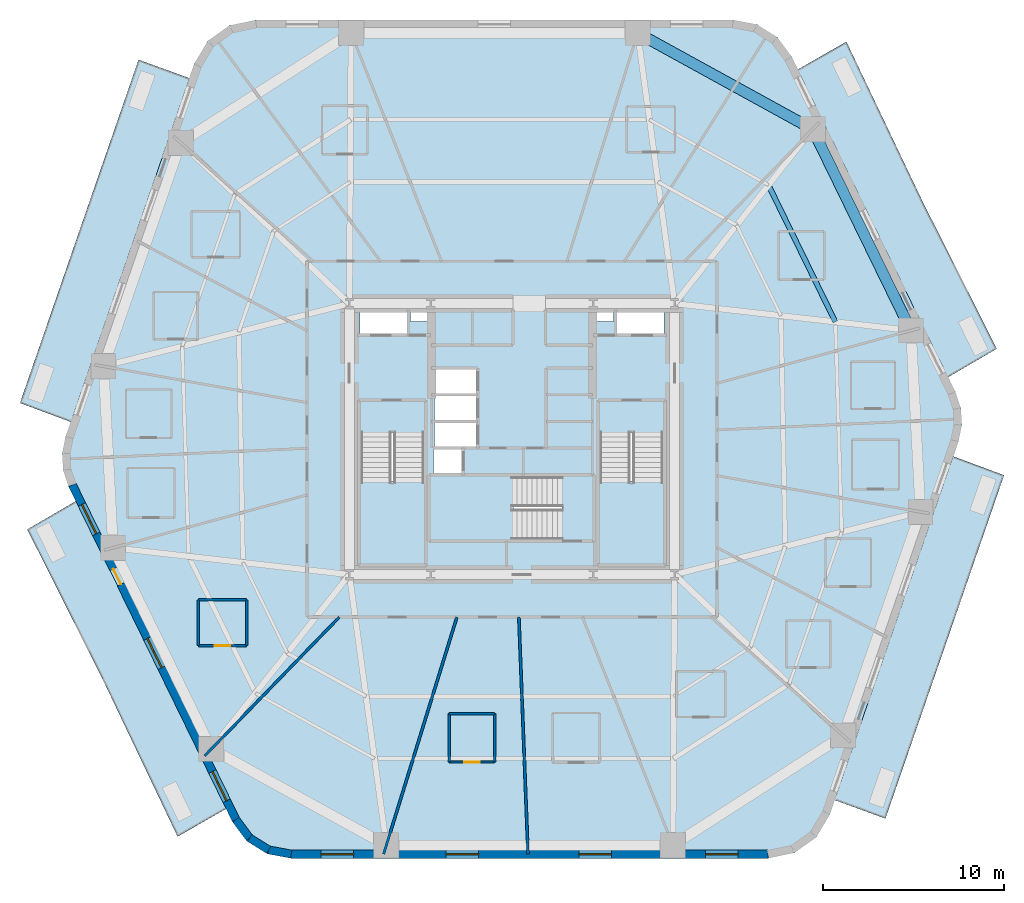
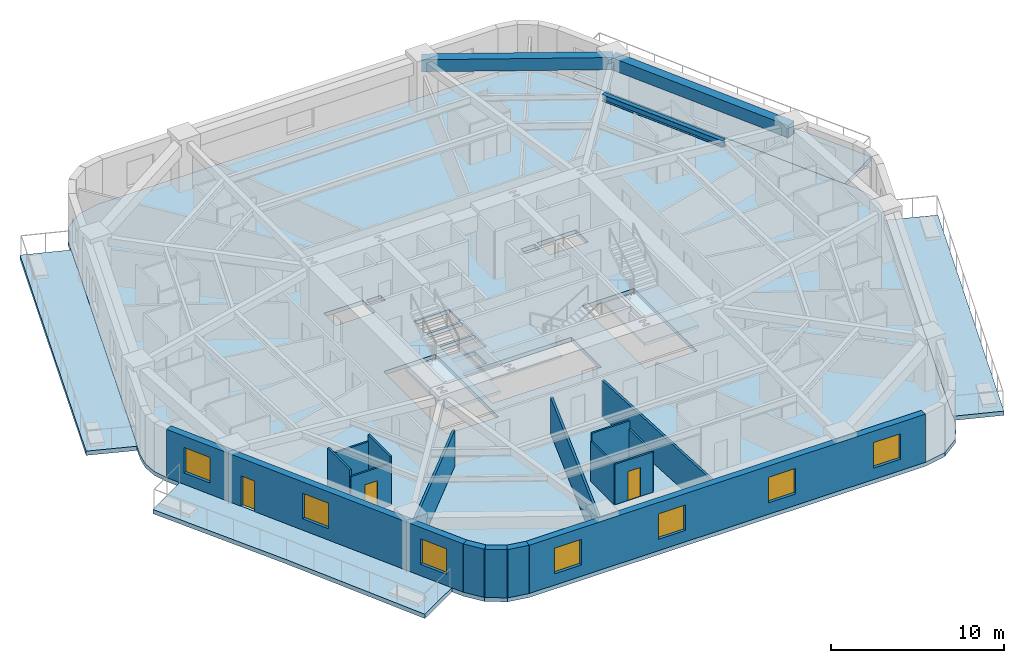
# One storey, part 2 of 10: 16 walls, 8 slabs, 7 windows, 3 beams, 3 doors, 10 openings, 3 elements without a shape of their own.
"""IFC4 building model written with IfcOpenShell, lengths in metres."""

import ifcopenshell
import ifcopenshell.guid

model = None  # the IFC model being written
_history = None  # IfcOwnerHistory: only IFC2X3 demands one
_inside = {}  # id of a spatial element -> (the spatial element, [elements in it])
_under = {}  # id of a project, library or spatial element -> (it, [spatial elements below it])
_declared = {}  # id of a project -> (the project, [libraries it declares])
_typed = {}  # id of a type object -> (the type object, [elements of that type])
_made_of = {}  # id of a material, layer set ... -> (it, [elements and type objects made of it])


def new_model(schema):
    """Start an empty IFC model of exactly this schema.

    Asked for "IFC4X3", IfcOpenShell would pick the latest addendum, in which some entities
    have other attributes; the version numbers below select the first issue.
    IFC2X3 requires an IfcOwnerHistory on every rooted entity: one is made here for all.
    """
    global model, _history
    if schema == "IFC4X3":
        model = ifcopenshell.file(schema_version=(4, 3, 0, 0))
    else:
        model = ifcopenshell.file(schema=schema)
    _inside.clear()
    _under.clear()
    _declared.clear()
    _typed.clear()
    _made_of.clear()
    _history = None
    if model.schema == "IFC2X3":
        org = make("IfcOrganization", Name="unknown")
        user = make(
            "IfcPersonAndOrganization",
            ThePerson=make("IfcPerson", FamilyName="unknown"),
            TheOrganization=org,
        )
        app = make(
            "IfcApplication",
            ApplicationDeveloper=org,
            Version="unknown",
            ApplicationFullName="unknown",
            ApplicationIdentifier="unknown",
        )
        _history = make(
            "IfcOwnerHistory",
            OwningUser=user,
            OwningApplication=app,
            ChangeAction="ADDED",
            CreationDate=0,
        )
    return model


def make(cls, **values):
    """One entity of the class cls with the attributes given. An attribute that is None is left unset."""
    return model.create_entity(
        cls, **{name: value for name, value in values.items() if value is not None}
    )


def rooted(cls, **values):
    """An entity with a GlobalId (a new one), such as an element, a storey or a relation."""
    return make(cls, GlobalId=ifcopenshell.guid.new(), OwnerHistory=_history, **values)


def si_unit(unit_type, name, prefix=None):
    """IfcSIUnit, for example si_unit("LENGTHUNIT", "METRE", prefix="MILLI")."""
    return make("IfcSIUnit", UnitType=unit_type, Prefix=prefix, Name=name)


def assignment(units):
    """IfcUnitAssignment: the units of a project."""
    return None if units is None else make("IfcUnitAssignment", Units=units)


def point(xyz):
    """IfcCartesianPoint."""
    return None if xyz is None else make("IfcCartesianPoint", Coordinates=xyz)


def direction(xyz):
    """IfcDirection."""
    return None if xyz is None else make("IfcDirection", DirectionRatios=xyz)


def frame(location, z_axis=None, x_axis=None):
    """IfcAxis2Placement3D, a coordinate frame: its origin and axes. An axis left out is left unset."""
    return make(
        "IfcAxis2Placement3D",
        Location=point(location),
        Axis=direction(z_axis),
        RefDirection=direction(x_axis),
    )


def frame_2d(location, x_axis=None):
    """IfcAxis2Placement2D, a coordinate frame in the plane: its origin and x axis."""
    return make(
        "IfcAxis2Placement2D", Location=point(location), RefDirection=direction(x_axis)
    )


def origin():
    """The frame at (0, 0, 0) with its axes left unset."""
    return frame((0.0, 0.0, 0.0))


def origin_2d():
    """The frame at (0, 0) in the plane with its x axis left unset."""
    return frame_2d((0.0, 0.0))


def place(relative_to, where):
    """IfcLocalPlacement: puts the frame where relative to a parent placement (None: the world)."""
    return make(
        "IfcLocalPlacement", PlacementRelTo=relative_to, RelativePlacement=where
    )


def context(
    kind, dimensions, precision=None, world=None, true_north=None, identifier=None
):
    """IfcGeometricRepresentationContext, for example the 3D "Model" context."""
    return make(
        "IfcGeometricRepresentationContext",
        ContextIdentifier=identifier,
        ContextType=kind,
        CoordinateSpaceDimension=dimensions,
        Precision=precision,
        WorldCoordinateSystem=world,
        TrueNorth=true_north,
    )


def subcontext(parent, identifier, kind, view, scale=None):
    """IfcGeometricRepresentationSubContext, for example "Body" below "Model"."""
    return make(
        "IfcGeometricRepresentationSubContext",
        ContextIdentifier=identifier,
        ContextType=kind,
        ParentContext=parent,
        TargetScale=scale,
        TargetView=view,
    )


def project(units=None, contexts=None):
    """IfcProject with its units and contexts."""
    return rooted(
        "IfcProject",
        Name="project",
        RepresentationContexts=contexts,
        UnitsInContext=assignment(units),
    )


def spatial(cls, under=None, at=None, **own):
    """A site, building, storey or space (cls), placed at a placement, below another one or the project."""
    s = rooted(cls, ObjectPlacement=at, **own)
    if under is not None:
        _under.setdefault(under.id(), (under, []))[1].append(s)
    return s


def polyline(points):
    """IfcPolyline through the points."""
    return make("IfcPolyline", Points=[point(p) for p in points])


def profile(cls, at=None, kind="AREA", **sizes):
    """A parametric profile (cls). Its sizes go by their IFC names, for example OverallWidth=200.0."""
    return make(cls, ProfileType=kind, Position=at, **sizes)


def rectangle(**sizes):
    """IfcRectangleProfileDef."""
    return profile("IfcRectangleProfileDef", **sizes)


def i_section(**sizes):
    """IfcIShapeProfileDef."""
    return profile("IfcIShapeProfileDef", **sizes)


def outline(outer, holes=None, kind="AREA"):
    """IfcArbitraryClosedProfileDef: a profile drawn as a closed curve; with holes, ...WithVoids."""
    if holes is None:
        return make("IfcArbitraryClosedProfileDef", ProfileType=kind, OuterCurve=outer)
    return make(
        "IfcArbitraryProfileDefWithVoids",
        ProfileType=kind,
        OuterCurve=outer,
        InnerCurves=holes,
    )


def extrude(swept, where, along, depth):
    """IfcExtrudedAreaSolid: the profile swept, set in the frame where, extruded along a direction by depth."""
    return make(
        "IfcExtrudedAreaSolid",
        SweptArea=swept,
        Position=where,
        ExtrudedDirection=direction(along),
        Depth=depth,
    )


def shape(context_of_items, identifier, shape_type, items):
    """IfcShapeRepresentation: the items that make up one representation, for example the "Body"."""
    return make(
        "IfcShapeRepresentation",
        ContextOfItems=context_of_items,
        RepresentationIdentifier=identifier,
        RepresentationType=shape_type,
        Items=items,
    )


def material(Name=None, Category=None):
    """IfcMaterial."""
    return make("IfcMaterial", Name=Name, Category=Category)


def layer(
    of_material, thickness, ventilated=None, Name=None, Category=None, Priority=None
):
    """IfcMaterialLayer: one layer of a wall or slab, of a material (None: an air gap)."""
    return make(
        "IfcMaterialLayer",
        Material=of_material,
        LayerThickness=thickness,
        IsVentilated=ventilated,
        Name=Name,
        Category=Category,
        Priority=Priority,
    )


def layer_set(layers, Name=None):
    """IfcMaterialLayerSet."""
    return make("IfcMaterialLayerSet", MaterialLayers=layers, LayerSetName=Name)


def material_profile(
    of_material, cross_section, Name=None, Category=None, Priority=None
):
    """IfcMaterialProfile: a cross section and its material."""
    return make(
        "IfcMaterialProfile",
        Name=Name,
        Material=of_material,
        Profile=cross_section,
        Priority=Priority,
        Category=Category,
    )


def profile_set(profiles, Name=None, composite=None):
    """IfcMaterialProfileSet."""
    return make(
        "IfcMaterialProfileSet",
        Name=Name,
        MaterialProfiles=profiles,
        CompositeProfile=composite,
    )


def made_of(thing, what):
    """Note that an element or type object is made of a material, layer set ...; save() writes the relation."""
    if what is not None:
        _made_of.setdefault(what.id(), (what, []))[1].append(thing)
    return thing


def type_object(cls, material=None, **own):
    """A type object (cls), such as IfcWallType, which elements share."""
    return made_of(rooted(cls, **own), material)


def element(
    cls,
    number,
    at=None,
    inside=None,
    cuts=None,
    type_object=None,
    material=None,
    context=None,
    identifier="Body",
    shape_type=None,
    held_by="IfcProductDefinitionShape",
    body=None,
    shapes=None,
    **own,
):
    """One element of the class cls, such as IfcWall. Its Tag is "e" and its number.

    at: its placement. inside: the storey or other place that contains it. cuts: it is an
    opening in that element (IfcRelVoidsElement). A single representation is given by context,
    identifier, shape_type and body (its items); several are given by shapes. held_by: the class
    of the entity that holds the representations. save() writes the other relations.
    """
    e = rooted(cls, Tag="e%d" % number, ObjectPlacement=at, **own)
    if body is not None:
        shapes = [shape(context, identifier, shape_type, body)]
    if shapes is not None:
        e.Representation = make(held_by, Representations=shapes)
    if inside is not None:
        _inside.setdefault(inside.id(), (inside, []))[1].append(e)
    if cuts is not None:
        rooted(
            "IfcRelVoidsElement", RelatingBuildingElement=cuts, RelatedOpeningElement=e
        )
    if type_object is not None:
        _typed.setdefault(type_object.id(), (type_object, []))[1].append(e)
    return made_of(e, material)


def fill(opening, filler):
    """IfcRelFillsElement: the door or window that sits in an opening."""
    return rooted(
        "IfcRelFillsElement",
        RelatingOpeningElement=opening,
        RelatedBuildingElement=filler,
    )


def aggregate(whole, parts):
    """IfcRelAggregates: a whole, such as a stair, and the parts it consists of."""
    return rooted("IfcRelAggregates", RelatingObject=whole, RelatedObjects=parts)


def save(model, path):
    """Write the relations noted so far, then the file.

    IfcRelAggregates (storeys below a building ...), IfcRelContainedInSpatialStructure (elements
    in a storey), IfcRelDefinesByType, IfcRelAssociatesMaterial and IfcRelDeclares: one each for
    every whole, place, type object, material and project.
    """
    for whole, parts in _under.values():
        aggregate(whole, parts)
    for where, things in _inside.values():
        rooted(
            "IfcRelContainedInSpatialStructure",
            RelatedElements=things,
            RelatingStructure=where,
        )
    for kind, things in _typed.values():
        rooted("IfcRelDefinesByType", RelatedObjects=things, RelatingType=kind)
    for what, things in _made_of.values():
        rooted("IfcRelAssociatesMaterial", RelatedObjects=things, RelatingMaterial=what)
    for by, libraries in _declared.values():
        rooted("IfcRelDeclares", RelatingContext=by, RelatedDefinitions=libraries)
    model.write(path)


model = new_model("IFC4")

# Units and contexts
model_context = context("Model", 3, precision=1e-05, world=origin(), true_north=direction((0.0, 1.0)))
body_context = subcontext(model_context, "Body", "Model", "MODEL_VIEW")
ifc_project = project(units=[si_unit("LENGTHUNIT", "METRE"), si_unit("AREAUNIT", "SQUARE_METRE"), si_unit("VOLUMEUNIT", "CUBIC_METRE"), si_unit("PLANEANGLEUNIT", "RADIAN"), si_unit("MASSUNIT", "GRAM", prefix="KILO")], contexts=[model_context])

# Site, building, storey
site_placement = place(None, origin())
site = spatial("IfcSite", under=ifc_project, at=site_placement, CompositionType="ELEMENT")
building_placement = place(site_placement, origin())
building = spatial("IfcBuilding", under=site, at=building_placement, Name="Kilnhurst Terrace Hotel", CompositionType="ELEMENT")
storey_placement = place(building_placement, frame((0.0, 0.0, 45.300048828125)))
storey = spatial("IfcBuildingStorey", under=building, at=storey_placement, Name="L09", CompositionType="ELEMENT", Elevation=45.300048828125)

# Beams
ifc_material_1 = material(Name="Concrete C50/60", Category="concrete")
ifc_material_profile_1 = material_profile(ifc_material_1, rectangle(XDim=0.60009765625, YDim=0.85009765625, at=origin_2d()), Name="RC600X850")
ifc_profile_set_1 = profile_set([ifc_material_profile_1], Name="Concrete C50/60")
beam_type_1 = type_object("IfcBeamType", Name="BM-SPN-600X850", PredefinedType="SPANDREL", material=ifc_profile_set_1)
beam_1_placement = place(storey_placement, frame((22.083984375, 6.013916015625, 2.974853515625), z_axis=(-0.438922573627, 0.898524888003, 0.0), x_axis=(-0.898524888003, -0.438922573627, 0.0)))
element("IfcBeam", 1, at=beam_1_placement, inside=storey, type_object=beam_type_1, Name="L09 Perimeter Spandrel Beam 5", PredefinedType="SPANDREL", context=body_context, shape_type="SweptSolid", body=[
    extrude(rectangle(XDim=0.60009765625, YDim=0.85009765625, at=origin_2d()), origin(), (0.0, 0.0, 1.0), 12.39599609375),
])
beam_2_placement = place(storey_placement, frame((16.64306640625, 17.152099609375, 2.974853515625), z_axis=(-0.876235488803, 0.481883147829, 0.0), x_axis=(-0.481883147829, -0.876235488803, 0.0)))
element("IfcBeam", 2, at=beam_2_placement, inside=storey, type_object=beam_type_1, Name="L09 Perimeter Spandrel Beam 6", PredefinedType="SPANDREL", context=body_context, shape_type="SweptSolid", body=[
    extrude(rectangle(XDim=0.60009765625, YDim=0.85009765625, at=origin_2d()), origin(), (0.0, 0.0, 1.0), 11.056396484375),
])
ifc_material_2 = material(Name="Steel ASTM A992 Grade 50", Category="steel")
ifc_material_profile_2 = material_profile(ifc_material_2, i_section(OverallWidth=0.279296875, OverallDepth=0.462890625, WebThickness=0.0107421875, FlangeThickness=0.017333984375, at=origin_2d()), Name="W18X76")
ifc_profile_set_2 = profile_set([ifc_material_profile_2], Name="Steel ASTM A992 Grade 50")
beam_type_2 = type_object("IfcBeamType", Name="JST-STL-W18X76", PredefinedType="JOIST", material=ifc_profile_set_2)
beam_3_placement = place(storey_placement, frame((17.897216796875, 6.489501953125, 3.16796875), z_axis=(-0.438934275949, 0.898519171413, 0.0), x_axis=(-0.898519171413, -0.438934275949, 0.0)))
element("IfcBeam", 3, at=beam_3_placement, inside=storey, type_object=beam_type_2, Name="L09 Secondary Floor Steel Joist OUT.5", PredefinedType="JOIST", context=body_context, shape_type="SweptSolid", body=[
    extrude(i_section(OverallWidth=0.279296875, OverallDepth=0.462890625, WebThickness=0.0107421875, FlangeThickness=0.017333984375, at=origin_2d()), origin(), (0.0, 0.0, 1.0), 8.429443359375),
])

# Slabs
ifc_layer_1 = layer(ifc_material_1, 0.300048828125, Name="Concrete C50/60")
ifc_layer_set_1 = layer_set([ifc_layer_1], Name="Concrete C50/60")
slab_type_1 = type_object("IfcSlabType", Name="SLB-BAL-300", PredefinedType="FLOOR", material=ifc_layer_set_1)
slab_1_placement = place(storey_placement, frame((0.0, 0.0, -0.300048828125)))
element("IfcSlab", 4, at=slab_1_placement, inside=storey, type_object=slab_type_1, Name="L09 Cantilevered Planted Terrace Slab BAL-L1A", PredefinedType="FLOOR", context=body_context, shape_type="SweptSolid", body=[
    extrude(outline(polyline([(23.98046875, -11.4296875), (20.670166015625, -21.0), (17.84912109375, -19.975341796875), (24.410888671875, -0.9501953125), (27.23388671875, -2.0), (23.98046875, -11.4296875)])), origin(), (0.0, 0.0, 1.0), 0.300048828125),
])
slab_2_placement = place(storey_placement, frame((0.0, 0.0, -0.300048828125)))
element("IfcSlab", 5, at=slab_2_placement, inside=storey, type_object=slab_type_1, Name="L09 Cantilevered Planted Terrace Slab BAL-L1B", PredefinedType="FLOOR", context=body_context, shape_type="SweptSolid", body=[
    extrude(outline(polyline([(26.830810546875, 5.0), (24.128662109375, 3.42333984375), (15.809814453125, 20.452880859375), (18.509521484375, 22.0), (22.697021484375, 13.21142578125), (26.830810546875, 5.0)])), origin(), (0.0, 0.0, 1.0), 0.300048828125),
])
slab_3_placement = place(storey_placement, frame((0.0, 0.0, -0.300048828125)))
element("IfcSlab", 6, at=slab_3_placement, inside=storey, type_object=slab_type_1, Name="L09 Cantilevered Planted Terrace Slab BAL-L2A", PredefinedType="FLOOR", context=body_context, shape_type="SweptSolid", body=[
    extrude(outline(polyline([(-20.670166015625, 21.0), (-17.84912109375, 19.975341796875), (-24.410888671875, 0.9501953125), (-27.23388671875, 2.0), (-23.98046875, 11.4296875), (-20.670166015625, 21.0)])), origin(), (0.0, 0.0, 1.0), 0.300048828125),
])
slab_4_placement = place(storey_placement, frame((0.0, 0.0, -0.300048828125)))
element("IfcSlab", 7, at=slab_4_placement, inside=storey, type_object=slab_type_1, Name="L09 Cantilevered Planted Terrace Slab BAL-L2B", PredefinedType="FLOOR", context=body_context, shape_type="SweptSolid", body=[
    extrude(outline(polyline([(-26.830810546875, -5.0), (-24.128662109375, -3.42333984375), (-15.809814453125, -20.452880859375), (-18.509521484375, -22.0), (-22.697021484375, -13.21142578125), (-26.830810546875, -5.0)])), origin(), (0.0, 0.0, 1.0), 0.300048828125),
])
ifc_layer_2 = layer(ifc_material_1, 0.280029296875, Name="Concrete C50/60")
ifc_layer_set_2 = layer_set([ifc_layer_2], Name="Concrete C50/60")
slab_type_2 = type_object("IfcSlabType", Name="SLB-FLR-280", PredefinedType="FLOOR", material=ifc_layer_set_2)
slab_5_placement = place(storey_placement, frame((0.0, 0.0, -0.280029296875)))
element("IfcSlab", 8, at=slab_5_placement, inside=storey, type_object=slab_type_2, Name="L09 Structural Floor Slab", PredefinedType="FLOOR", context=body_context, shape_type="SweptSolid", body=[
    extrude(outline(polyline([(-15.476806640625, -21.18017578125), (-14.680908203125, -22.248046875), (-13.551025390625, -22.95361328125), (-12.241943359375, -23.199951171875), (14.191650390625, -23.199951171875), (15.635986328125, -22.8974609375), (16.837890625, -22.040771484375), (17.5947265625, -20.773681640625), (24.712890625, -0.135986328125), (24.90087890625, 0.7861328125), (24.843505859375, 1.7255859375), (24.54443359375, 2.617919921875), (15.476806640625, 21.18017578125), (14.680908203125, 22.248046875), (13.551025390625, 22.95361328125), (12.241943359375, 23.199951171875), (-14.191650390625, 23.199951171875), (-15.635986328125, 22.8974609375), (-16.837890625, 22.040771484375), (-17.5947265625, 20.773681640625), (-24.712890625, 0.135986328125), (-24.90087890625, -0.7861328125), (-24.843505859375, -1.7255859375), (-24.54443359375, -2.617919921875), (-15.476806640625, -21.18017578125)]), holes=[polyline([(-8.35009765625, 0.35498046875), (-4.8798828125, 0.35498046875), (-4.8798828125, -6.89990234375), (-8.35009765625, -6.89990234375), (-8.35009765625, 0.35498046875)]), polyline([(-2.800048828125, -1.89990234375), (-4.35009765625, -1.89990234375), (-4.35009765625, -0.550048828125), (-2.800048828125, -0.550048828125), (-2.800048828125, -1.89990234375)]), polyline([(-1.949951171875, -0.429931640625), (-4.300048828125, -0.429931640625), (-4.300048828125, 0.89990234375), (-1.949951171875, 0.89990234375), (-1.949951171875, -0.429931640625)]), polyline([(-4.300048828125, 1.050048828125), (-4.300048828125, 2.3798828125), (-1.949951171875, 2.3798828125), (-1.949951171875, 1.050048828125), (-4.300048828125, 1.050048828125)]), polyline([(-8.39990234375, 5.75), (-8.39990234375, 7.14990234375), (-5.800048828125, 7.14990234375), (-5.800048828125, 5.75), (-8.39990234375, 5.75)]), polyline([(-4.659912109375, 6.52001953125), (-5.6201171875, 6.52001953125), (-5.6201171875, 7.080078125), (-4.659912109375, 7.080078125), (-4.659912109375, 6.52001953125)]), polyline([(2.7548828125, -5.550048828125), (-4.5, -5.550048828125), (-4.5, -2.080078125), (2.7548828125, -2.080078125), (2.7548828125, -5.550048828125)]), polyline([(8.35009765625, 0.35498046875), (8.35009765625, -6.89990234375), (4.8798828125, -6.89990234375), (4.8798828125, 0.35498046875), (8.35009765625, 0.35498046875)]), polyline([(-1.949951171875, 2.530029296875), (-4.300048828125, 2.530029296875), (-4.300048828125, 3.860107421875), (-1.949951171875, 3.860107421875), (-1.949951171875, 2.530029296875)]), polyline([(5.800048828125, 5.75), (5.800048828125, 7.14990234375), (8.39990234375, 7.14990234375), (8.39990234375, 5.75), (5.800048828125, 5.75)]), polyline([(4.659912109375, 6.52001953125), (4.659912109375, 7.080078125), (5.6201171875, 7.080078125), (5.6201171875, 6.52001953125), (4.659912109375, 6.52001953125)])]), origin(), (0.0, 0.0, 1.0), 0.280029296875),
])

# Stair, slab
stair_type = type_object("IfcStairType", Name="STR-CORE-1660", PredefinedType="HALF_TURN_STAIR", material=ifc_material_1)
stair_1_placement = place(storey_placement, origin())
stair_1 = element("IfcStair", 9, at=stair_1_placement, inside=storey, type_object=stair_type, Name="L09 ST-1", PredefinedType="HALF_TURN_STAIR")
ifc_layer_3 = layer(ifc_material_1, 0.199951171875, Name="Concrete C50/60")
ifc_layer_set_3 = layer_set([ifc_layer_3], Name="Concrete C50/60")
slab_type_3 = type_object("IfcSlabType", Name="SLB-ST-LND-200", PredefinedType="LANDING", material=ifc_layer_set_3)
slab_6_placement = place(storey_placement, frame((0.0, 0.0, 1.64990234375)))
slab_6 = element("IfcSlab", 10, at=slab_6_placement, type_object=slab_type_3, Name="ST-1 landing 1", PredefinedType="LANDING", context=body_context, shape_type="SweptSolid", body=[
    extrude(outline(polyline([(-8.429931640625, -2.330078125), (-4.800048828125, -2.330078125), (-4.800048828125, -6.97998046875), (-8.429931640625, -6.97998046875), (-8.429931640625, -2.330078125)])), origin(), (0.0, 0.0, 1.0), 0.199951171875),
])
aggregate(stair_1, [slab_6])

stair_2_placement = place(storey_placement, origin())
stair_2 = element("IfcStair", 11, at=stair_2_placement, inside=storey, type_object=stair_type, Name="L09 ST-2", PredefinedType="HALF_TURN_STAIR")
slab_7_placement = place(storey_placement, frame((0.0, 0.0, 1.64990234375)))
slab_7 = element("IfcSlab", 12, at=slab_7_placement, type_object=slab_type_3, Name="ST-2 landing 1", PredefinedType="LANDING", context=body_context, shape_type="SweptSolid", body=[
    extrude(outline(polyline([(4.800048828125, -2.330078125), (8.429931640625, -2.330078125), (8.429931640625, -6.97998046875), (4.800048828125, -6.97998046875), (4.800048828125, -2.330078125)])), origin(), (0.0, 0.0, 1.0), 0.199951171875),
])
aggregate(stair_2, [slab_7])

stair_3_placement = place(storey_placement, origin())
stair_3 = element("IfcStair", 13, at=stair_3_placement, inside=storey, type_object=stair_type, Name="L09 ST-3", PredefinedType="HALF_TURN_STAIR")
slab_8_placement = place(storey_placement, frame((0.0, 0.0, 1.64990234375)))
slab_8 = element("IfcSlab", 14, at=slab_8_placement, type_object=slab_type_3, Name="ST-3 landing 1", PredefinedType="LANDING", context=body_context, shape_type="SweptSolid", body=[
    extrude(outline(polyline([(0.070068359375, -2.0), (0.070068359375, -5.6298828125), (-4.580078125, -5.6298828125), (-4.580078125, -2.0), (0.070068359375, -2.0)])), origin(), (0.0, 0.0, 1.0), 0.199951171875),
])
aggregate(stair_3, [slab_8])

# Walls
ifc_material_3 = material(Name="Precast concrete C40/50", Category="concrete")
ifc_layer_4 = layer(ifc_material_3, 0.449951171875, Name="Precast concrete C40/50")
ifc_layer_set_4 = layer_set([ifc_layer_4], Name="Precast concrete C40/50")
wall_type_1 = type_object("IfcWallType", Name="WL-BRK-450", PredefinedType="SOLIDWALL", material=ifc_layer_set_4)
wall_1_placement = place(storey_placement, frame((-15.28369140625, -21.0625, 0.0), z_axis=(0.0, 0.0, 1.0), x_axis=(0.597595366449, -0.801797841104, 0.0)))
element("IfcWall", 15, at=wall_1_placement, inside=storey, type_object=wall_type_1, Name="L09 Rounded Corner Brick Wall C1.1", PredefinedType="SOLIDWALL", context=body_context, shape_type="SweptSolid", body=[
    extrude(rectangle(XDim=1.2685546875, YDim=0.449951171875, at=frame_2d((0.63427734375, 0.0))), origin(), (0.0, 0.0, 1.0), 3.39990234375),
])
wall_2_placement = place(storey_placement, frame((-14.525634765625, -22.07958984375, 0.0), z_axis=(0.0, 0.0, 1.0), x_axis=(0.848185203596, -0.529699783275, 0.0)))
element("IfcWall", 16, at=wall_2_placement, inside=storey, type_object=wall_type_1, Name="L09 Rounded Corner Brick Wall C1.2", PredefinedType="SOLIDWALL", context=body_context, shape_type="SweptSolid", body=[
    extrude(rectangle(XDim=1.247314453125, YDim=0.449951171875, at=frame_2d((0.62353515625, 0.0))), origin(), (0.0, 0.0, 1.0), 3.39990234375),
])
wall_3_placement = place(storey_placement, frame((-13.4677734375, -22.740234375, 0.0), z_axis=(0.0, 0.0, 1.0), x_axis=(0.982717174228, -0.185113358451, 0.0)))
element("IfcWall", 17, at=wall_3_placement, inside=storey, type_object=wall_type_1, Name="L09 Rounded Corner Brick Wall C1.3", PredefinedType="SOLIDWALL", context=body_context, shape_type="SweptSolid", body=[
    extrude(rectangle(XDim=1.268798828125, YDim=0.449951171875, at=frame_2d((0.63427734375, 0.0))), origin(), (0.0, 0.0, 1.0), 3.39990234375),
])

# Wall, openings, windows
wall_4_placement = place(storey_placement, frame((-12.220947265625, -22.97509765625, 0.0), z_axis=(0.0, 0.0, 1.0), x_axis=(1.0, 0.0, 0.0)))
wall_4 = element("IfcWall", 18, at=wall_4_placement, inside=storey, type_object=wall_type_1, Name="L09 Exterior Brick Facade Wall F1", PredefinedType="SOLIDWALL", context=body_context, shape_type="SweptSolid", body=[
    extrude(rectangle(XDim=26.38916015625, YDim=0.449951171875, at=frame_2d((13.194580078125, 0.0))), origin(), (0.0, 0.0, 1.0), 3.39990234375),
])
opening_1_placement = place(wall_4_placement, frame((1.653076171875, 0.0, 0.800048828125)))
opening_1 = element("IfcOpeningElement", 19, at=opening_1_placement, cuts=wall_4, Name="Opening W-01", PredefinedType="OPENING", context=body_context, shape_type="SweptSolid", body=[
    extrude(rectangle(XDim=1.800048828125, YDim=1.800048828125, at=frame_2d((0.89990234375, 0.89990234375))), frame((0.0, 0.23486328125, 0.0), z_axis=(0.0, -1.0, 0.0), x_axis=(1.0, 0.0, 0.0)), (0.0, 0.0, 1.0), 0.469970703125),
])
opening_2_placement = place(wall_4_placement, frame((8.575927734375, 0.0, 0.800048828125)))
opening_2 = element("IfcOpeningElement", 20, at=opening_2_placement, cuts=wall_4, Name="Opening W-01", PredefinedType="OPENING", context=body_context, shape_type="SweptSolid", body=[
    extrude(rectangle(XDim=1.800048828125, YDim=1.800048828125, at=frame_2d((0.89990234375, 0.89990234375))), frame((0.0, 0.23486328125, 0.0), z_axis=(0.0, -1.0, 0.0), x_axis=(1.0, 0.0, 0.0)), (0.0, 0.0, 1.0), 0.469970703125),
])
opening_3_placement = place(wall_4_placement, frame((15.927001953125, 0.0, 0.800048828125)))
opening_3 = element("IfcOpeningElement", 21, at=opening_3_placement, cuts=wall_4, Name="Opening W-01", PredefinedType="OPENING", context=body_context, shape_type="SweptSolid", body=[
    extrude(rectangle(XDim=1.800048828125, YDim=1.800048828125, at=frame_2d((0.89990234375, 0.89990234375))), frame((0.0, 0.23486328125, 0.0), z_axis=(0.0, -1.0, 0.0), x_axis=(1.0, 0.0, 0.0)), (0.0, 0.0, 1.0), 0.469970703125),
])
opening_4_placement = place(wall_4_placement, frame((22.93798828125, 0.0, 0.800048828125)))
opening_4 = element("IfcOpeningElement", 22, at=opening_4_placement, cuts=wall_4, Name="Opening W-01", PredefinedType="OPENING", context=body_context, shape_type="SweptSolid", body=[
    extrude(rectangle(XDim=1.800048828125, YDim=1.800048828125, at=frame_2d((0.89990234375, 0.89990234375))), frame((0.0, 0.23486328125, 0.0), z_axis=(0.0, -1.0, 0.0), x_axis=(1.0, 0.0, 0.0)), (0.0, 0.0, 1.0), 0.469970703125),
])
ifc_material_4 = material(Name="Thermally Broken Bronze Aluminium Alloy 6063-T6 and Low-E Glass", Category="aluminium")
window_type = type_object("IfcWindowType", Name="WIN-1800X1800", PartitioningType="SINGLE_PANEL", PredefinedType="WINDOW", material=ifc_material_4)
window_1_placement = place(opening_1_placement, origin())
window_1 = element("IfcWindow", 23, at=window_1_placement, inside=storey, type_object=window_type, Name="L09 Deep-Set Masonry Window F1.1", OverallHeight=1.800048828125, OverallWidth=1.800048828125, PartitioningType="SINGLE_PANEL", PredefinedType="WINDOW", context=body_context, shape_type="SweptSolid", body=[
    extrude(rectangle(XDim=1.800048828125, YDim=1.800048828125, at=frame_2d((0.89990234375, 0.89990234375))), frame((0.0, 0.030029296875, 0.0), z_axis=(0.0, -1.0, 0.0), x_axis=(1.0, 0.0, 0.0)), (0.0, 0.0, 1.0), 0.06005859375),
])
fill(opening_1, window_1)
window_2_placement = place(opening_2_placement, origin())
window_2 = element("IfcWindow", 24, at=window_2_placement, inside=storey, type_object=window_type, Name="L09 Deep-Set Masonry Window F1.2", OverallHeight=1.800048828125, OverallWidth=1.800048828125, PartitioningType="SINGLE_PANEL", PredefinedType="WINDOW", context=body_context, shape_type="SweptSolid", body=[
    extrude(rectangle(XDim=1.800048828125, YDim=1.800048828125, at=frame_2d((0.89990234375, 0.89990234375))), frame((0.0, 0.030029296875, 0.0), z_axis=(0.0, -1.0, 0.0), x_axis=(1.0, 0.0, 0.0)), (0.0, 0.0, 1.0), 0.06005859375),
])
fill(opening_2, window_2)
window_3_placement = place(opening_3_placement, origin())
window_3 = element("IfcWindow", 25, at=window_3_placement, inside=storey, type_object=window_type, Name="L09 Deep-Set Masonry Window F1.3", OverallHeight=1.800048828125, OverallWidth=1.800048828125, PartitioningType="SINGLE_PANEL", PredefinedType="WINDOW", context=body_context, shape_type="SweptSolid", body=[
    extrude(rectangle(XDim=1.800048828125, YDim=1.800048828125, at=frame_2d((0.89990234375, 0.89990234375))), frame((0.0, 0.030029296875, 0.0), z_axis=(0.0, -1.0, 0.0), x_axis=(1.0, 0.0, 0.0)), (0.0, 0.0, 1.0), 0.06005859375),
])
fill(opening_3, window_3)
window_4_placement = place(opening_4_placement, origin())
window_4 = element("IfcWindow", 26, at=window_4_placement, inside=storey, type_object=window_type, Name="L09 Deep-Set Masonry Window F1.4", OverallHeight=1.800048828125, OverallWidth=1.800048828125, PartitioningType="SINGLE_PANEL", PredefinedType="WINDOW", context=body_context, shape_type="SweptSolid", body=[
    extrude(rectangle(XDim=1.800048828125, YDim=1.800048828125, at=frame_2d((0.89990234375, 0.89990234375))), frame((0.0, 0.030029296875, 0.0), z_axis=(0.0, -1.0, 0.0), x_axis=(1.0, 0.0, 0.0)), (0.0, 0.0, 1.0), 0.06005859375),
])
fill(opening_4, window_4)

# Wall, openings, door, windows
wall_5_placement = place(storey_placement, frame((-24.335693359375, -2.532470703125, 0.0), z_axis=(0.0, 0.0, 1.0), x_axis=(0.438931326393, -0.898520612291, 0.0)))
wall_5 = element("IfcWall", 27, at=wall_5_placement, inside=storey, type_object=wall_type_1, Name="L09 Exterior Brick Facade Wall F6", PredefinedType="SOLIDWALL", context=body_context, shape_type="SweptSolid", body=[
    extrude(rectangle(XDim=20.622802734375, YDim=0.449951171875, at=frame_2d((10.3115234375, 0.0))), origin(), (0.0, 0.0, 1.0), 3.39990234375),
])
opening_5_placement = place(wall_5_placement, frame((5.1708984375, 0.0, 0.0)))
opening_5 = element("IfcOpeningElement", 28, at=opening_5_placement, cuts=wall_5, Name="Opening BD-950", PredefinedType="OPENING", context=body_context, shape_type="SweptSolid", body=[
    extrude(rectangle(XDim=0.949951171875, YDim=2.14990234375, at=frame_2d((0.47509765625, 1.074951171875))), frame((0.0, 0.23486328125, 0.0), z_axis=(0.0, -1.0, 0.0), x_axis=(1.0, 0.0, 0.0)), (0.0, 0.0, 1.0), 0.469970703125),
])
opening_6_placement = place(wall_5_placement, frame((1.214111328125, 0.0, 0.800048828125)))
opening_6 = element("IfcOpeningElement", 29, at=opening_6_placement, cuts=wall_5, Name="Opening W-01", PredefinedType="OPENING", context=body_context, shape_type="SweptSolid", body=[
    extrude(rectangle(XDim=1.800048828125, YDim=1.800048828125, at=frame_2d((0.89990234375, 0.89990234375))), frame((0.0, 0.23486328125, 0.0), z_axis=(0.0, -1.0, 0.0), x_axis=(1.0, 0.0, 0.0)), (0.0, 0.0, 1.0), 0.469970703125),
])
opening_7_placement = place(wall_5_placement, frame((9.4619140625, 0.0, 0.800048828125)))
opening_7 = element("IfcOpeningElement", 30, at=opening_7_placement, cuts=wall_5, Name="Opening W-01", PredefinedType="OPENING", context=body_context, shape_type="SweptSolid", body=[
    extrude(rectangle(XDim=1.800048828125, YDim=1.800048828125, at=frame_2d((0.89990234375, 0.89990234375))), frame((0.0, 0.23486328125, 0.0), z_axis=(0.0, -1.0, 0.0), x_axis=(1.0, 0.0, 0.0)), (0.0, 0.0, 1.0), 0.469970703125),
])
opening_8_placement = place(wall_5_placement, frame((17.659912109375, 0.0, 0.800048828125)))
opening_8 = element("IfcOpeningElement", 31, at=opening_8_placement, cuts=wall_5, Name="Opening W-01", PredefinedType="OPENING", context=body_context, shape_type="SweptSolid", body=[
    extrude(rectangle(XDim=1.800048828125, YDim=1.800048828125, at=frame_2d((0.89990234375, 0.89990234375))), frame((0.0, 0.23486328125, 0.0), z_axis=(0.0, -1.0, 0.0), x_axis=(1.0, 0.0, 0.0)), (0.0, 0.0, 1.0), 0.469970703125),
])
ifc_material_5 = material(Name="Thermally Broken Bronze Aluminium Alloy 6063-T6 and Laminated Glass", Category="aluminium")
door_type_1 = type_object("IfcDoorType", Name="DR-EXT-BAL-950", OperationType="NOTDEFINED", PredefinedType="DOOR", material=ifc_material_5)
door_1_placement = place(opening_5_placement, origin())
door_1 = element("IfcDoor", 32, at=door_1_placement, inside=storey, type_object=door_type_1, Name="L09 Planted Balcony Door BAL-L2B", OperationType="SINGLE_SWING_RIGHT", OverallHeight=2.14990234375, OverallWidth=0.949951171875, PredefinedType="DOOR", context=body_context, shape_type="SweptSolid", body=[
    extrude(rectangle(XDim=0.949951171875, YDim=2.14990234375, at=frame_2d((0.47509765625, 1.074951171875))), frame((0.0, 0.02490234375, 0.0), z_axis=(0.0, -1.0, 0.0), x_axis=(1.0, 0.0, 0.0)), (0.0, 0.0, 1.0), 0.050048828125),
])
fill(opening_5, door_1)
window_5_placement = place(opening_6_placement, origin())
window_5 = element("IfcWindow", 33, at=window_5_placement, inside=storey, type_object=window_type, Name="L09 Deep-Set Masonry Window F6.1", OverallHeight=1.800048828125, OverallWidth=1.800048828125, PartitioningType="SINGLE_PANEL", PredefinedType="WINDOW", context=body_context, shape_type="SweptSolid", body=[
    extrude(rectangle(XDim=1.800048828125, YDim=1.800048828125, at=frame_2d((0.89990234375, 0.89990234375))), frame((0.0, 0.030029296875, 0.0), z_axis=(0.0, -1.0, 0.0), x_axis=(1.0, 0.0, 0.0)), (0.0, 0.0, 1.0), 0.06005859375),
])
fill(opening_6, window_5)
window_6_placement = place(opening_7_placement, origin())
window_6 = element("IfcWindow", 34, at=window_6_placement, inside=storey, type_object=window_type, Name="L09 Deep-Set Masonry Window F6.2", OverallHeight=1.800048828125, OverallWidth=1.800048828125, PartitioningType="SINGLE_PANEL", PredefinedType="WINDOW", context=body_context, shape_type="SweptSolid", body=[
    extrude(rectangle(XDim=1.800048828125, YDim=1.800048828125, at=frame_2d((0.89990234375, 0.89990234375))), frame((0.0, 0.030029296875, 0.0), z_axis=(0.0, -1.0, 0.0), x_axis=(1.0, 0.0, 0.0)), (0.0, 0.0, 1.0), 0.06005859375),
])
fill(opening_7, window_6)
window_7_placement = place(opening_8_placement, origin())
window_7 = element("IfcWindow", 35, at=window_7_placement, inside=storey, type_object=window_type, Name="L09 Deep-Set Masonry Window F6.3", OverallHeight=1.800048828125, OverallWidth=1.800048828125, PartitioningType="SINGLE_PANEL", PredefinedType="WINDOW", context=body_context, shape_type="SweptSolid", body=[
    extrude(rectangle(XDim=1.800048828125, YDim=1.800048828125, at=frame_2d((0.89990234375, 0.89990234375))), frame((0.0, 0.030029296875, 0.0), z_axis=(0.0, -1.0, 0.0), x_axis=(1.0, 0.0, 0.0)), (0.0, 0.0, 1.0), 0.06005859375),
])
fill(opening_8, window_7)

# Walls
ifc_material_6 = material(Name="STC-58 Acoustic Twin-Frame Guestroom Demising Partition")
ifc_layer_5 = layer(ifc_material_6, 0.14990234375, Name="STC-58 Acoustic Twin-Frame Guestroom Demising Partition")
ifc_layer_set_5 = layer_set([ifc_layer_5], Name="STC-58 Acoustic Twin-Frame Guestroom Demising Partition")
wall_type_2 = type_object("IfcWallType", Name="WL-DEM-150", PredefinedType="PARTITIONING", material=ifc_layer_set_5)
wall_6_placement = place(storey_placement, frame((-9.5576171875, -9.85009765625, 0.0), z_axis=(0.0, 0.0, 1.0), x_axis=(-0.69638346089, -0.717669893056, 0.0)))
element("IfcWall", 36, at=wall_6_placement, inside=storey, type_object=wall_type_2, Name="L09 Interior Wall WL-L09-DEM-COL08-13-1", PredefinedType="PARTITIONING", context=body_context, shape_type="SweptSolid", body=[
    extrude(rectangle(XDim=10.700927734375, YDim=0.14990234375, at=frame_2d((5.3505859375, 0.0))), origin(), (0.0, 0.0, 1.0), 2.5400390625),
])
wall_7_placement = place(storey_placement, frame((-3.047607421875, -9.85009765625, 0.0), z_axis=(0.0, 0.0, 1.0), x_axis=(-0.295553992761, -0.955326037206, 0.0)))
element("IfcWall", 37, at=wall_7_placement, inside=storey, type_object=wall_type_2, Name="L09 Interior Wall WL-L09-DEM-COL09-14-1", PredefinedType="PARTITIONING", context=body_context, shape_type="SweptSolid", body=[
    extrude(rectangle(XDim=13.73876953125, YDim=0.14990234375, at=frame_2d((6.869384765625, 0.0))), origin(), (0.0, 0.0, 1.0), 2.5400390625),
])
wall_8_placement = place(storey_placement, frame((0.3798828125, -9.85009765625, 0.0), z_axis=(0.0, 0.0, 1.0), x_axis=(0.038568751747, -0.999255948888, 0.0)))
element("IfcWall", 38, at=wall_8_placement, inside=storey, type_object=wall_type_2, Name="L09 Interior Wall WL-L09-DEM-MID09-15-1", PredefinedType="PARTITIONING", context=body_context, shape_type="SweptSolid", body=[
    extrude(rectangle(XDim=13.134765625, YDim=0.14990234375, at=frame_2d((6.5673828125, 0.0))), origin(), (0.0, 0.0, 1.0), 2.5400390625),
])

# Wall, opening, door
ifc_material_7 = material(Name="120 mm Moisture-Resistant Tile-Backed Bathroom Partition")
ifc_layer_6 = layer(ifc_material_7, 0.1201171875, Name="120 mm Moisture-Resistant Tile-Backed Bathroom Partition")
ifc_layer_set_6 = layer_set([ifc_layer_6], Name="120 mm Moisture-Resistant Tile-Backed Bathroom Partition")
wall_type_3 = type_object("IfcWallType", Name="WL-PART-120", PredefinedType="PARTITIONING", material=ifc_layer_set_6)
wall_9_placement = place(storey_placement, frame((-17.364013671875, -11.43505859375, 0.0), z_axis=(0.0, 0.0, 1.0), x_axis=(1.0, 0.0, 0.0)))
wall_9 = element("IfcWall", 39, at=wall_9_placement, inside=storey, type_object=wall_type_3, Name="L09 Interior Wall WL-L09-BTH-12-1", PredefinedType="PARTITIONING", context=body_context, shape_type="SweptSolid", body=[
    extrude(rectangle(XDim=2.679931640625, YDim=0.1201171875, at=frame_2d((1.33984375, 0.0))), origin(), (0.0, 0.0, 1.0), 2.926513671875),
])
opening_9_placement = place(wall_9_placement, frame((0.9150390625, 0.0, 0.0)))
opening_9 = element("IfcOpeningElement", 40, at=opening_9_placement, cuts=wall_9, Name="Opening D-08A", PredefinedType="OPENING", context=body_context, shape_type="SweptSolid", body=[
    extrude(rectangle(XDim=0.85009765625, YDim=2.030029296875, at=frame_2d((0.425048828125, 1.01513671875))), frame((0.0, 0.070068359375, 0.0), z_axis=(0.0, -1.0, 0.0), x_axis=(1.0, 0.0, 0.0)), (0.0, 0.0, 1.0), 0.14013671875),
])
ifc_material_8 = material(Name="Moisture-Resistant Lacquered En-suite Bathroom Door")
door_type_2 = type_object("IfcDoorType", Name="DR-INT-850", OperationType="NOTDEFINED", PredefinedType="DOOR", material=ifc_material_8)
door_2_placement = place(opening_9_placement, origin())
door_2 = element("IfcDoor", 41, at=door_2_placement, inside=storey, type_object=door_type_2, Name="L09 En-suite Bathroom Door 12", OperationType="SINGLE_SWING_LEFT", OverallHeight=2.030029296875, OverallWidth=0.85009765625, PredefinedType="DOOR", context=body_context, shape_type="SweptSolid", body=[
    extrude(rectangle(XDim=0.85009765625, YDim=2.030029296875, at=frame_2d((0.425048828125, 1.01513671875))), frame((0.0, 0.02490234375, 0.0), z_axis=(0.0, -1.0, 0.0), x_axis=(1.0, 0.0, 0.0)), (0.0, 0.0, 1.0), 0.050048828125),
])
fill(opening_9, door_2)

# Walls
wall_10_placement = place(storey_placement, frame((-14.68408203125, -11.43505859375, 0.0), z_axis=(0.0, 0.0, 1.0), x_axis=(0.0, 1.0, 0.0)))
element("IfcWall", 42, at=wall_10_placement, inside=storey, type_object=wall_type_3, Name="L09 Interior Wall WL-L09-BTH-12-2", PredefinedType="PARTITIONING", context=body_context, shape_type="SweptSolid", body=[
    extrude(rectangle(XDim=2.5400390625, YDim=0.1201171875, at=frame_2d((1.27001953125, 0.0))), origin(), (0.0, 0.0, 1.0), 3.39990234375),
])
wall_11_placement = place(storey_placement, frame((-14.68408203125, -8.89501953125, 0.0), z_axis=(0.0, 0.0, 1.0), x_axis=(-1.0, 0.0, 0.0)))
element("IfcWall", 43, at=wall_11_placement, inside=storey, type_object=wall_type_3, Name="L09 Interior Wall WL-L09-BTH-12-3", PredefinedType="PARTITIONING", context=body_context, shape_type="SweptSolid", body=[
    extrude(rectangle(XDim=2.679931640625, YDim=0.1201171875, at=frame_2d((1.33984375, 0.0))), origin(), (0.0, 0.0, 1.0), 2.926513671875),
])
wall_12_placement = place(storey_placement, frame((-17.364013671875, -8.89501953125, 0.0), z_axis=(0.0, 0.0, 1.0), x_axis=(0.0, -1.0, 0.0)))
element("IfcWall", 44, at=wall_12_placement, inside=storey, type_object=wall_type_3, Name="L09 Interior Wall WL-L09-BTH-12-4", PredefinedType="PARTITIONING", context=body_context, shape_type="SweptSolid", body=[
    extrude(rectangle(XDim=2.5400390625, YDim=0.1201171875, at=frame_2d((1.27001953125, 0.0))), origin(), (0.0, 0.0, 1.0), 3.39990234375),
])

# Wall, opening, door
wall_13_placement = place(storey_placement, frame((-3.47509765625, -17.876953125, 0.0), z_axis=(0.0, 0.0, 1.0), x_axis=(1.0, 0.0, 0.0)))
wall_13 = element("IfcWall", 45, at=wall_13_placement, inside=storey, type_object=wall_type_3, Name="L09 Interior Wall WL-L09-BTH-14-1", PredefinedType="PARTITIONING", context=body_context, shape_type="SweptSolid", body=[
    extrude(rectangle(XDim=2.52001953125, YDim=0.1201171875, at=frame_2d((1.260009765625, 0.0))), origin(), (0.0, 0.0, 1.0), 2.84033203125),
])
opening_10_placement = place(wall_13_placement, frame((0.8349609375, 0.0, 0.0)))
opening_10 = element("IfcOpeningElement", 46, at=opening_10_placement, cuts=wall_13, Name="Opening D-08A", PredefinedType="OPENING", context=body_context, shape_type="SweptSolid", body=[
    extrude(rectangle(XDim=0.85009765625, YDim=2.030029296875, at=frame_2d((0.425048828125, 1.01513671875))), frame((0.0, 0.070068359375, 0.0), z_axis=(0.0, -1.0, 0.0), x_axis=(1.0, 0.0, 0.0)), (0.0, 0.0, 1.0), 0.14013671875),
])
door_3_placement = place(opening_10_placement, origin())
door_3 = element("IfcDoor", 47, at=door_3_placement, inside=storey, type_object=door_type_2, Name="L09 En-suite Bathroom Door 14", OperationType="SINGLE_SWING_LEFT", OverallHeight=2.030029296875, OverallWidth=0.85009765625, PredefinedType="DOOR", context=body_context, shape_type="SweptSolid", body=[
    extrude(rectangle(XDim=0.85009765625, YDim=2.030029296875, at=frame_2d((0.425048828125, 1.01513671875))), frame((0.0, 0.02490234375, 0.0), z_axis=(0.0, -1.0, 0.0), x_axis=(1.0, 0.0, 0.0)), (0.0, 0.0, 1.0), 0.050048828125),
])
fill(opening_10, door_3)

# Walls
wall_14_placement = place(storey_placement, frame((-0.955078125, -17.876953125, 0.0), z_axis=(0.0, 0.0, 1.0), x_axis=(0.0, 1.0, 0.0)))
element("IfcWall", 48, at=wall_14_placement, inside=storey, type_object=wall_type_3, Name="L09 Interior Wall WL-L09-BTH-14-2", PredefinedType="PARTITIONING", context=body_context, shape_type="SweptSolid", body=[
    extrude(rectangle(XDim=2.679931640625, YDim=0.1201171875, at=frame_2d((1.33984375, 0.0))), origin(), (0.0, 0.0, 1.0), 2.84033203125),
])
wall_15_placement = place(storey_placement, frame((-0.955078125, -15.197021484375, 0.0), z_axis=(0.0, 0.0, 1.0), x_axis=(-1.0, 0.0, 0.0)))
element("IfcWall", 49, at=wall_15_placement, inside=storey, type_object=wall_type_3, Name="L09 Interior Wall WL-L09-BTH-14-3", PredefinedType="PARTITIONING", context=body_context, shape_type="SweptSolid", body=[
    extrude(rectangle(XDim=2.52001953125, YDim=0.1201171875, at=frame_2d((1.260009765625, 0.0))), origin(), (0.0, 0.0, 1.0), 3.39990234375),
])
wall_16_placement = place(storey_placement, frame((-3.47509765625, -15.197021484375, 0.0), z_axis=(0.0, 0.0, 1.0), x_axis=(0.0, -1.0, 0.0)))
element("IfcWall", 50, at=wall_16_placement, inside=storey, type_object=wall_type_3, Name="L09 Interior Wall WL-L09-BTH-14-4", PredefinedType="PARTITIONING", context=body_context, shape_type="SweptSolid", body=[
    extrude(rectangle(XDim=2.679931640625, YDim=0.1201171875, at=frame_2d((1.33984375, 0.0))), origin(), (0.0, 0.0, 1.0), 2.84033203125),
])

save(model, "model.ifc")
